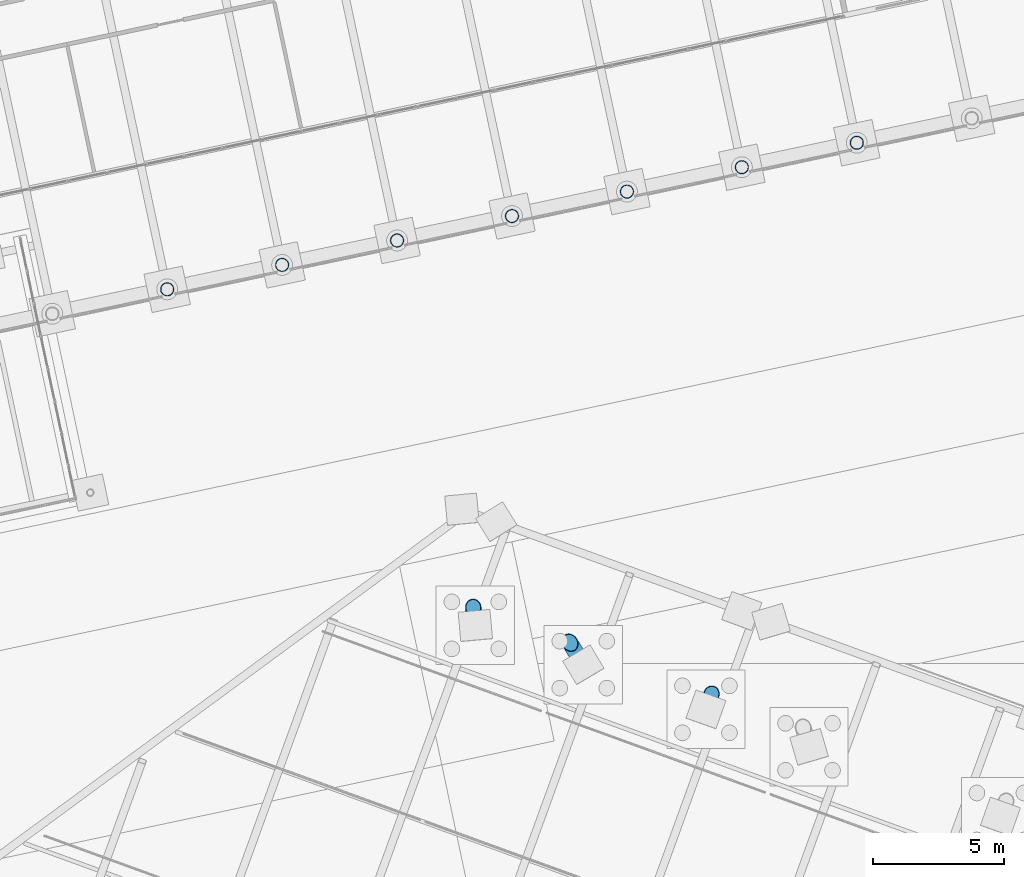
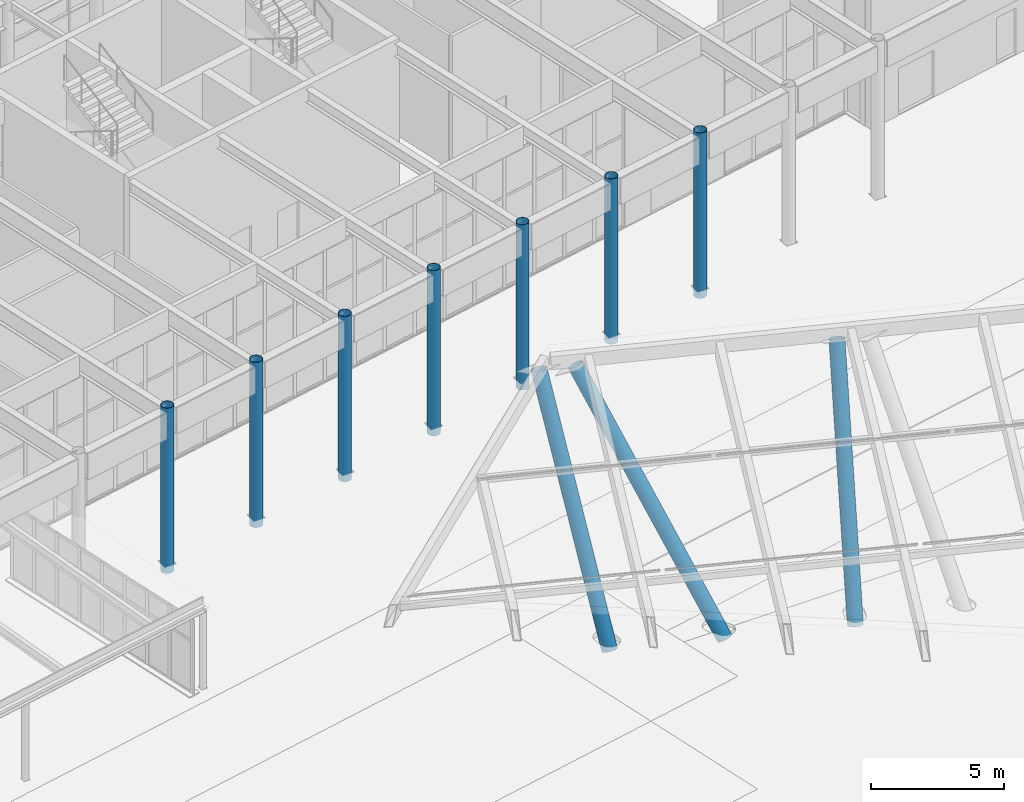
# One storey, part 20 of 239: 10 columns.
"""IFC4 building model written with IfcOpenShell, lengths in metres."""

from ifc_helpers import new_model, si_unit, direction, frame, origin, origin_2d, place, context, subcontext, project, spatial, hollow_circle, extrude, material, material_profile, profile_set, type_object, element, save


model = new_model("IFC4")

# Units and contexts
model_context = context("Model", 3, precision=1e-05, world=origin(), true_north=direction((0.0, 1.0)))
body_context = subcontext(model_context, "Body", "Model", "MODEL_VIEW")
ifc_project = project(units=[si_unit("LENGTHUNIT", "METRE"), si_unit("AREAUNIT", "SQUARE_METRE"), si_unit("VOLUMEUNIT", "CUBIC_METRE"), si_unit("PLANEANGLEUNIT", "RADIAN"), si_unit("MASSUNIT", "GRAM", prefix="KILO")], contexts=[model_context])

# Site, building, storey
site_placement = place(None, origin())
site = spatial("IfcSite", under=ifc_project, at=site_placement, CompositionType="ELEMENT")
building_placement = place(site_placement, origin())
building = spatial("IfcBuilding", under=site, at=building_placement, Name="Okhra Congress Centre", CompositionType="ELEMENT")
storey_placement = place(building_placement, origin())
storey = spatial("IfcBuildingStorey", under=building, at=storey_placement, Name="L00", CompositionType="ELEMENT", Elevation=0.0)

# Columns
ifc_material = material(Name="Steel S355J2H", Category="steel")
ifc_material_profile_1 = material_profile(ifc_material, hollow_circle(Radius=0.304931640625, WallThickness=0.02490234375, at=origin_2d()), Name="CHS 610x25")
ifc_profile_set_1 = profile_set([ifc_material_profile_1], Name="Steel S355J2H")
column_type_1 = type_object("IfcColumnType", Name="Raking steel strut CHS 610x25", PredefinedType="COLUMN", material=ifc_profile_set_1)
column_1_placement = place(storey_placement, frame((174.050048828125, 35.459228515625, -0.39990234375), z_axis=(-0.045109275194, 0.39181550392, 0.91893730155), x_axis=(-0.993437834797, -0.114373372748, 0.0)))
element("IfcColumn", 1, at=column_1_placement, inside=storey, type_object=column_type_1, Name="Entrance canopy raking strut 12", PredefinedType="COLUMN", context=body_context, shape_type="SweptSolid", body=[
    extrude(hollow_circle(Radius=0.304931640625, WallThickness=0.02490234375, at=origin_2d()), origin(), (0.0, 0.0, 1.0), 11.338623046875),
])
column_2_placement = place(storey_placement, frame((178.1845703125, 33.954345703125, -0.39990234375), z_axis=(-0.272316757152, 0.447173620717, 0.851985526115), x_axis=(-0.854093249019, -0.520119911155, 0.0)))
element("IfcColumn", 2, at=column_2_placement, inside=storey, type_object=column_type_1, Name="Entrance canopy raking strut 13", PredefinedType="COLUMN", context=body_context, shape_type="SweptSolid", body=[
    extrude(hollow_circle(Radius=0.304931640625, WallThickness=0.02490234375, at=origin_2d()), origin(), (0.0, 0.0, 1.0), 12.2294921875),
])
column_3_placement = place(storey_placement, frame((182.883056640625, 32.244140625, -0.39990234375), z_axis=(0.122585816561, 0.336782875049, 0.93356842955), x_axis=(-0.939686455819, 0.342037080957, 0.0)))
element("IfcColumn", 3, at=column_3_placement, inside=storey, type_object=column_type_1, Name="Entrance canopy raking strut 14", PredefinedType="COLUMN", context=body_context, shape_type="SweptSolid", body=[
    extrude(hollow_circle(Radius=0.304931640625, WallThickness=0.02490234375, at=origin_2d()), origin(), (0.0, 0.0, 1.0), 11.160888671875),
])
ifc_material_profile_2 = material_profile(ifc_material, hollow_circle(Radius=0.25390625, WallThickness=0.01611328125, at=origin_2d()), Name="CHS 508x16")
ifc_profile_set_2 = profile_set([ifc_material_profile_2], Name="Steel S355J2H")
column_type_2 = type_object("IfcColumnType", Name="Round steel column CHS 508x16", PredefinedType="COLUMN", material=ifc_profile_set_2)
for number, where, z_axis, x_axis, name in (
    (4, (162.249267578125, 48.328125, -0.39990234375), (0.0, 0.0, 1.0), (0.978147600734, 0.207911690818, 0.0), "Round column 20S"),
    (5, (166.65087890625, 49.263671875, -0.39990234375), (0.0, 0.0, 1.0), (0.978147600734, 0.207911690818, 0.0), "Round column 21S"),
    (6, (171.052490234375, 50.19921875, -0.39990234375), (0.0, 0.0, 1.0), (0.978147600734, 0.207911690818, 0.0), "Round column 22S"),
    (7, (175.454345703125, 51.135009765625, -0.39990234375), (0.0, 0.0, 1.0), (0.978147600734, 0.207911690818, 0.0), "Round column 23S"),
    (8, (179.85595703125, 52.070556640625, -0.39990234375), (0.0, 0.0, 1.0), (0.978147600734, 0.207911690818, 0.0), "Round column 24S"),
    (9, (184.257568359375, 53.006103515625, -0.39990234375), (0.0, 0.0, 1.0), (0.978147600734, 0.207911690818, 0.0), "Round column 25S"),
    (10, (188.6591796875, 53.941650390625, -0.39990234375), (0.0, 0.0, 1.0), (0.978147600734, 0.207911690818, 0.0), "Round column 26S"),
):
    element("IfcColumn", number, at=place(storey_placement, frame(where, z_axis=z_axis, x_axis=x_axis)), inside=storey, type_object=column_type_2, Name=name, PredefinedType="COLUMN", context=body_context, shape_type="SweptSolid", body=[
        extrude(hollow_circle(Radius=0.25390625, WallThickness=0.01611328125, at=origin_2d()), origin(), (0.0, 0.0, 1.0), 7.599853515625),
    ])

save(model, "model.ifc")
